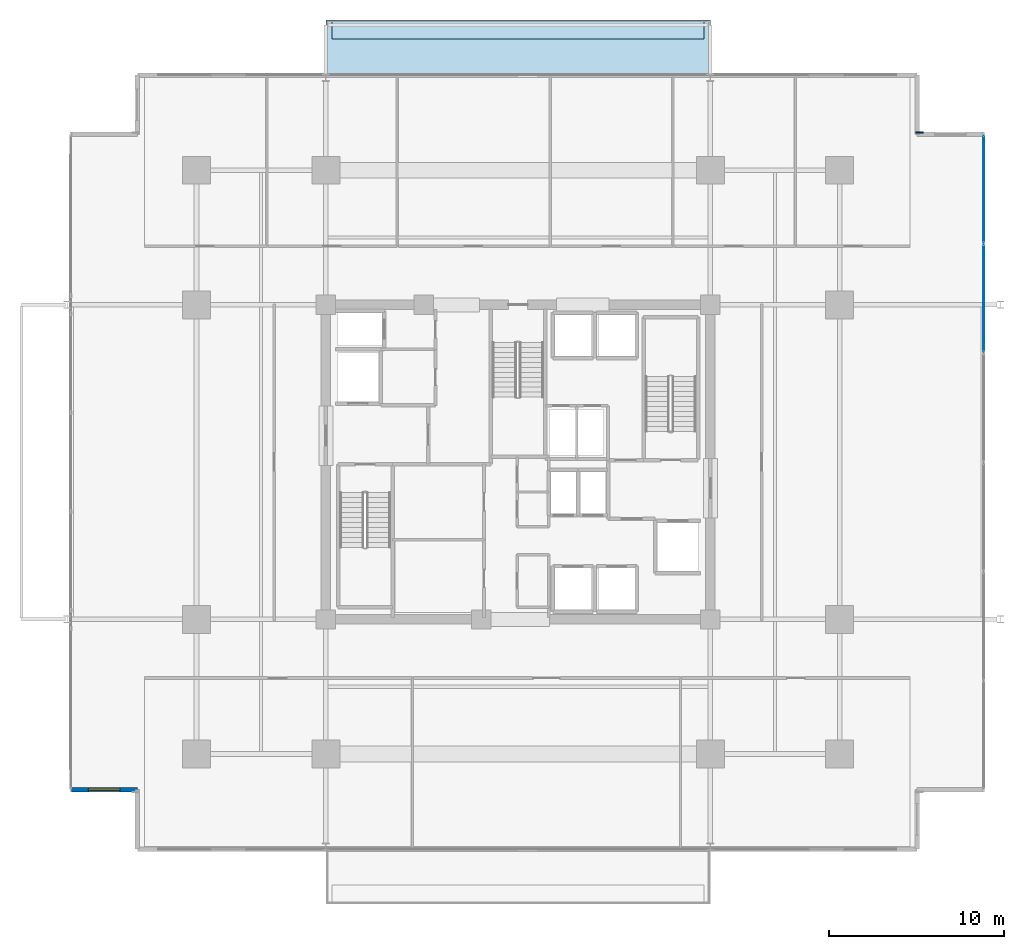
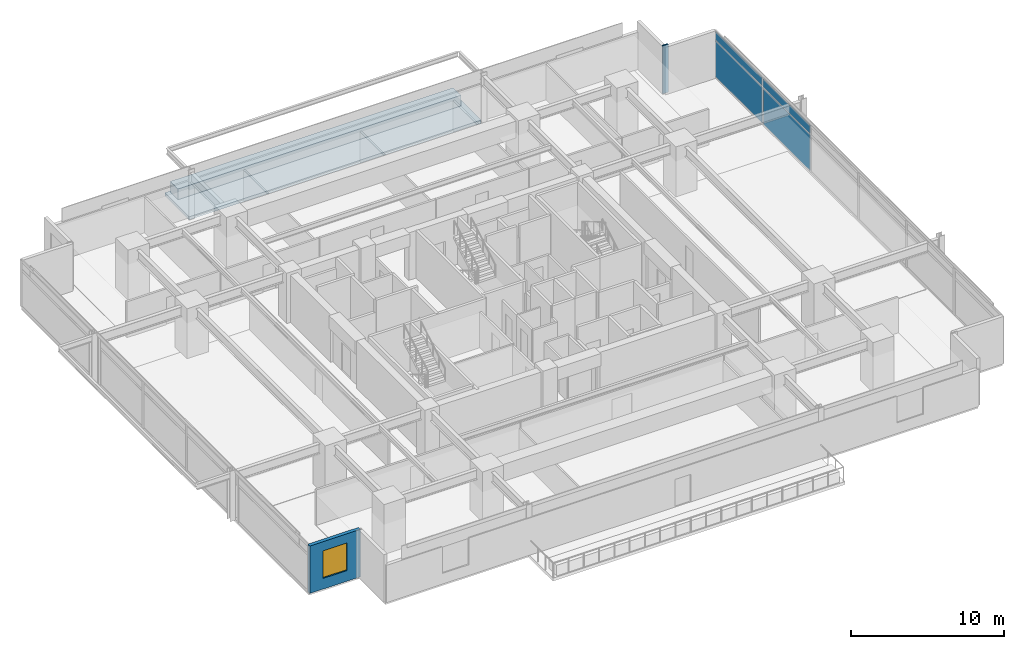
# One storey, part 14 of 22: 5 plates, 2 slabs, 1 wall, 1 window, 1 opening, 1 element without a shape of its own.
"""IFC4 building model written with IfcOpenShell, lengths in metres."""

from ifc_helpers import new_model, si_unit, direction, frame, frame_2d, origin, origin_2d, place, context, subcontext, project, spatial, polyline, rectangle, outline, extrude, material, layer, layer_set, type_object, element, fill, aggregate, save


model = new_model("IFC4")

# Units and contexts
model_context = context("Model", 3, precision=1e-05, world=origin(), true_north=direction((0.0, 1.0)))
body_context = subcontext(model_context, "Body", "Model", "MODEL_VIEW")
ifc_project = project(units=[si_unit("LENGTHUNIT", "METRE"), si_unit("AREAUNIT", "SQUARE_METRE"), si_unit("VOLUMEUNIT", "CUBIC_METRE"), si_unit("PLANEANGLEUNIT", "RADIAN"), si_unit("MASSUNIT", "GRAM", prefix="KILO")], contexts=[model_context])

# Site, building, storey
site_placement = place(None, origin())
site = spatial("IfcSite", under=ifc_project, at=site_placement, CompositionType="ELEMENT")
building_placement = place(site_placement, origin())
building = spatial("IfcBuilding", under=site, at=building_placement, Name="Kovane Verandah Tower", CompositionType="ELEMENT")
storey_placement = place(building_placement, frame((0.0, 0.0, 156.39990234375)))
storey = spatial("IfcBuildingStorey", under=building, at=storey_placement, Name="L36", CompositionType="ELEMENT", Elevation=156.39990234375)

# Curtain wall, plates
ifc_material_1 = material(Name="Champagne Anodised Aluminium Frame with Low-E Clear Laminated Glass", Category="aluminium")
curtain_wall_type = type_object("IfcCurtainWallType", Name="CW-SYS-03-MID", PredefinedType="NOTDEFINED", material=ifc_material_1)
curtain_wall_placement = place(storey_placement, origin())
curtain_wall = element("IfcCurtainWall", 1, at=curtain_wall_placement, inside=storey, type_object=curtain_wall_type, Name="L36 E Unitised Curtain Wall", PredefinedType="NOTDEFINED")
ifc_material_2 = material(Name="Pale Champagne Anodised Aluminium Insulated Spandrel", Category="aluminium")
ifc_layer_1 = layer(ifc_material_2, 0.0400390625)
ifc_layer_set_1 = layer_set([ifc_layer_1], Name="Pale Champagne Anodised Aluminium Insulated Spandrel")
plate_type_1 = type_object("IfcPlateType", Name="PL-CW-SPD-40", PredefinedType="SHEET", material=ifc_layer_set_1)
plate_1_placement = place(storey_placement, frame((66.64208984375, 36.873046875, 3.044921875), z_axis=(0.0, 0.0, 1.0), x_axis=(0.0, 1.0, 0.0)))
plate_1 = element("IfcPlate", 2, at=plate_1_placement, type_object=plate_type_1, Name="L36 E Unitised Curtain Wall Spandrel Panel 5", PredefinedType="SHEET", context=body_context, shape_type="SweptSolid", body=[
    extrude(rectangle(XDim=6.108642578125, YDim=0.0400390625, at=origin_2d()), origin(), (0.0, 0.0, 1.0), 0.639892578125),
])
plate_2_placement = place(storey_placement, frame((66.64208984375, 43.121826171875, 3.044921875), z_axis=(0.0, 0.0, 1.0), x_axis=(0.0, 1.0, 0.0)))
plate_2 = element("IfcPlate", 3, at=plate_2_placement, type_object=plate_type_1, Name="L36 E Unitised Curtain Wall Spandrel Panel 6", PredefinedType="SHEET", context=body_context, shape_type="SweptSolid", body=[
    extrude(rectangle(XDim=6.108642578125, YDim=0.0400390625, at=origin_2d()), origin(), (0.0, 0.0, 1.0), 0.639892578125),
])
ifc_material_3 = material(Name="Clear Low-E Laminated Double Glazing", Category="glass")
ifc_layer_2 = layer(ifc_material_3, 0.031982421875)
ifc_layer_set_2 = layer_set([ifc_layer_2], Name="Clear Low-E Laminated Double Glazing")
plate_type_2 = type_object("IfcPlateType", Name="PL-CW-VIS-32", PredefinedType="CURTAIN_PANEL", material=ifc_layer_set_2)
plate_3_placement = place(storey_placement, frame((66.64208984375, 36.873046875, 0.10009765625), z_axis=(0.0, 0.0, 1.0), x_axis=(0.0, 1.0, 0.0)))
plate_3 = element("IfcPlate", 4, at=plate_3_placement, type_object=plate_type_2, Name="L36 E Unitised Curtain Wall Vision Panel 5", PredefinedType="CURTAIN_PANEL", context=body_context, shape_type="SweptSolid", body=[
    extrude(rectangle(XDim=6.108642578125, YDim=0.031982421875, at=origin_2d()), origin(), (0.0, 0.0, 1.0), 2.844970703125),
])
plate_4_placement = place(storey_placement, frame((66.64208984375, 43.121826171875, 0.10009765625), z_axis=(0.0, 0.0, 1.0), x_axis=(0.0, 1.0, 0.0)))
plate_4 = element("IfcPlate", 5, at=plate_4_placement, type_object=plate_type_2, Name="L36 E Unitised Curtain Wall Vision Panel 6", PredefinedType="CURTAIN_PANEL", context=body_context, shape_type="SweptSolid", body=[
    extrude(rectangle(XDim=6.108642578125, YDim=0.031982421875, at=origin_2d()), origin(), (0.0, 0.0, 1.0), 2.844970703125),
])
aggregate(curtain_wall, [plate_3, plate_1, plate_4, plate_2])

# Plate
ifc_material_4 = material(Name="Timber-Toned Subtropical Aluminium Vertical Blade", Category="wood")
ifc_layer_3 = layer(ifc_material_4, 0.090087890625)
ifc_layer_set_3 = layer_set([ifc_layer_3], Name="Timber-Toned Subtropical Aluminium Vertical Blade")
plate_type_3 = type_object("IfcPlateType", Name="PL-FIN-90", PredefinedType="USERDEFINED", material=ifc_layer_set_3)
plate_5_placement = place(storey_placement, frame((62.9619140625, 46.3662109375, -0.019775390625), z_axis=(0.0, 0.0, 1.0), x_axis=(1.0, 0.0, 0.0)))
element("IfcPlate", 6, at=plate_5_placement, inside=storey, type_object=plate_type_3, Name="L36 NE Timber-Toned Vertical Corner Fin", ObjectType="FIN", PredefinedType="USERDEFINED", context=body_context, shape_type="SweptSolid", body=[
    extrude(rectangle(XDim=0.419921875, YDim=0.090087890625, at=origin_2d()), origin(), (0.0, 0.0, 1.0), 3.8349609375),
])

# Slabs
ifc_material_5 = material(Name="Concrete C45/55", Category="concrete")
ifc_layer_4 = layer(ifc_material_5, 0.239990234375)
ifc_layer_set_4 = layer_set([ifc_layer_4], Name="Concrete C45/55")
slab_type_1 = type_object("IfcSlabType", Name="SL-BALC-240", PredefinedType="FLOOR", material=ifc_layer_set_4)
slab_1_placement = place(storey_placement, frame((0.0, 0.0, -0.239990234375)))
element("IfcSlab", 7, at=slab_1_placement, inside=storey, type_object=slab_type_1, Name="L36 N Planted Verandah Balcony Slab", PredefinedType="FLOOR", context=body_context, shape_type="SweptSolid", body=[
    extrude(outline(polyline([(29.0, 49.646240234375), (51.0, 49.646240234375), (51.0, 52.796142578125), (29.0, 52.796142578125), (29.0, 49.646240234375)])), origin(), (0.0, 0.0, 1.0), 0.239990234375),
])
ifc_material_6 = material(Name="Architectural Precast Concrete C45/55 Planter Trough", Category="concrete")
ifc_layer_5 = layer(ifc_material_6, 0.219970703125)
ifc_layer_set_5 = layer_set([ifc_layer_5], Name="Architectural Precast Concrete C45/55 Planter Trough")
slab_type_2 = type_object("IfcSlabType", Name="SL-PLANTER-220", PredefinedType="USERDEFINED", material=ifc_layer_set_5)
slab_2_placement = place(storey_placement, origin())
element("IfcSlab", 8, at=slab_2_placement, inside=storey, type_object=slab_type_2, Name="L36 N Structural Tree Planter", ObjectType="PLANTER", PredefinedType="USERDEFINED", context=body_context, shape_type="SweptSolid", body=[
    extrude(outline(polyline([(29.35009765625, 51.6962890625), (50.64990234375, 51.6962890625), (50.64990234375, 52.6962890625), (29.35009765625, 52.6962890625), (29.35009765625, 51.6962890625)])), origin(), (0.0, 0.0, 1.0), 0.85009765625),
])

# Wall, opening, window
ifc_material_7 = material(Name="Concrete C45/55 Insulated Spandrel Wall", Category="concrete")
ifc_layer_6 = layer(ifc_material_7, 0.260009765625)
ifc_layer_set_6 = layer_set([ifc_layer_6], Name="Concrete C45/55 Insulated Spandrel Wall")
wall_type = type_object("IfcWallType", Name="WL-SPANDREL-260", PredefinedType="PARAPET", material=ifc_layer_set_6)
wall_placement = place(storey_placement, frame((14.419677734375, 8.75390625, 0.0), z_axis=(0.0, 0.0, 1.0), x_axis=(1.0, 0.0, 0.0)))
wall = element("IfcWall", 9, at=wall_placement, inside=storey, type_object=wall_type, Name="L36 SW Notch Cheek Wall 1", PredefinedType="PARAPET", context=body_context, shape_type="SweptSolid", body=[
    extrude(rectangle(XDim=3.800048828125, YDim=0.260009765625, at=frame_2d((1.89990234375, 0.0))), origin(), (0.0, 0.0, 1.0), 3.775146484375),
])
opening_placement = place(wall_placement, frame((1.0, 0.0, 0.85009765625)))
opening = element("IfcOpeningElement", 10, at=opening_placement, cuts=wall, Name="Opening W-03", PredefinedType="OPENING", context=body_context, shape_type="SweptSolid", body=[
    extrude(rectangle(XDim=1.800048828125, YDim=2.199951171875, at=frame_2d((0.89990234375, 1.10009765625))), frame((0.0, 0.1298828125, 0.0), z_axis=(0.0, -1.0, 0.0), x_axis=(1.0, 0.0, 0.0)), (0.0, 0.0, 1.0), 0.260009765625),
])
ifc_material_8 = material(Name="Clear Low-E Laminated Double Glazing in Anodised Frame", Category="glass")
window_type = type_object("IfcWindowType", Name="WN-NOTCH-1800x2200", PartitioningType="SINGLE_PANEL", PredefinedType="WINDOW", material=ifc_material_8)
window_placement = place(opening_placement, origin())
window = element("IfcWindow", 11, at=window_placement, inside=storey, type_object=window_type, Name="L36 SW Re-Entrant Corner Operable Window", OverallHeight=2.199951171875, OverallWidth=1.800048828125, PartitioningType="SINGLE_PANEL", PredefinedType="WINDOW", context=body_context, shape_type="SweptSolid", body=[
    extrude(rectangle(XDim=1.800048828125, YDim=2.199951171875, at=frame_2d((0.89990234375, 1.10009765625))), frame((0.0, 0.030029296875, 0.0), z_axis=(0.0, -1.0, 0.0), x_axis=(1.0, 0.0, 0.0)), (0.0, 0.0, 1.0), 0.06005859375),
])
fill(opening, window)

save(model, "model.ifc")
